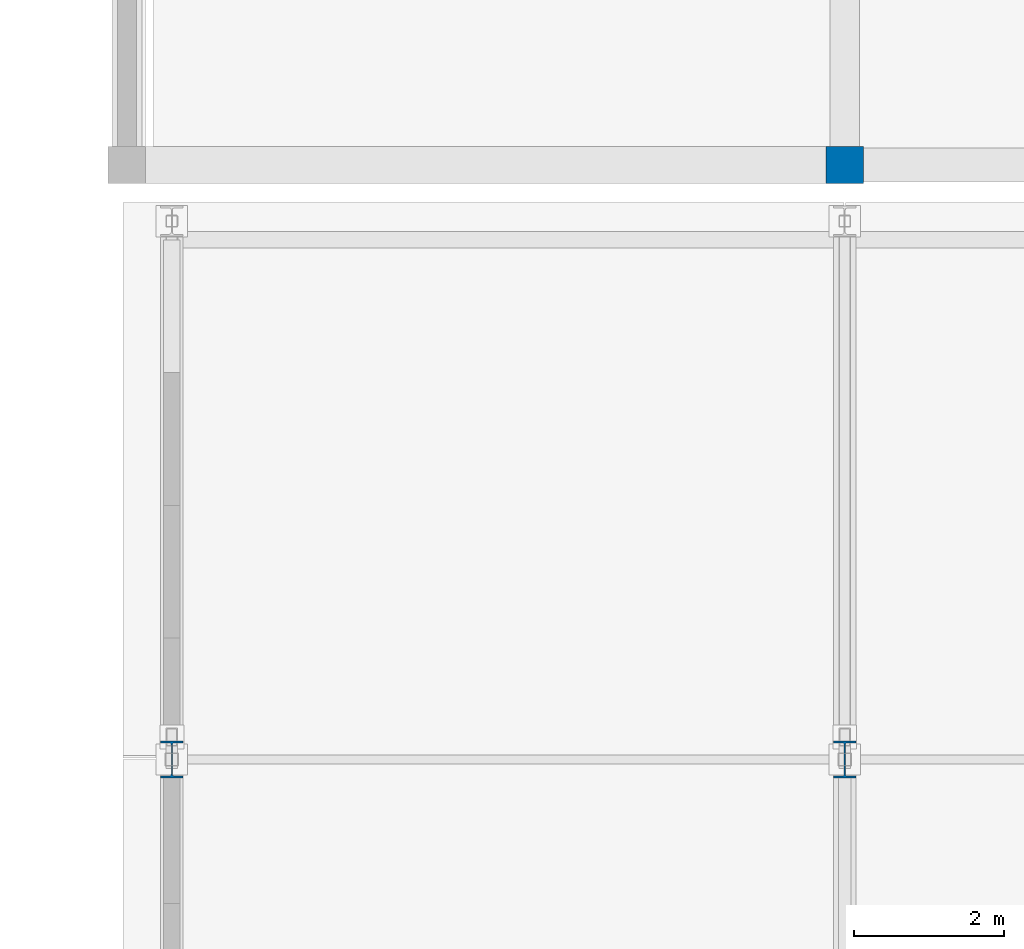
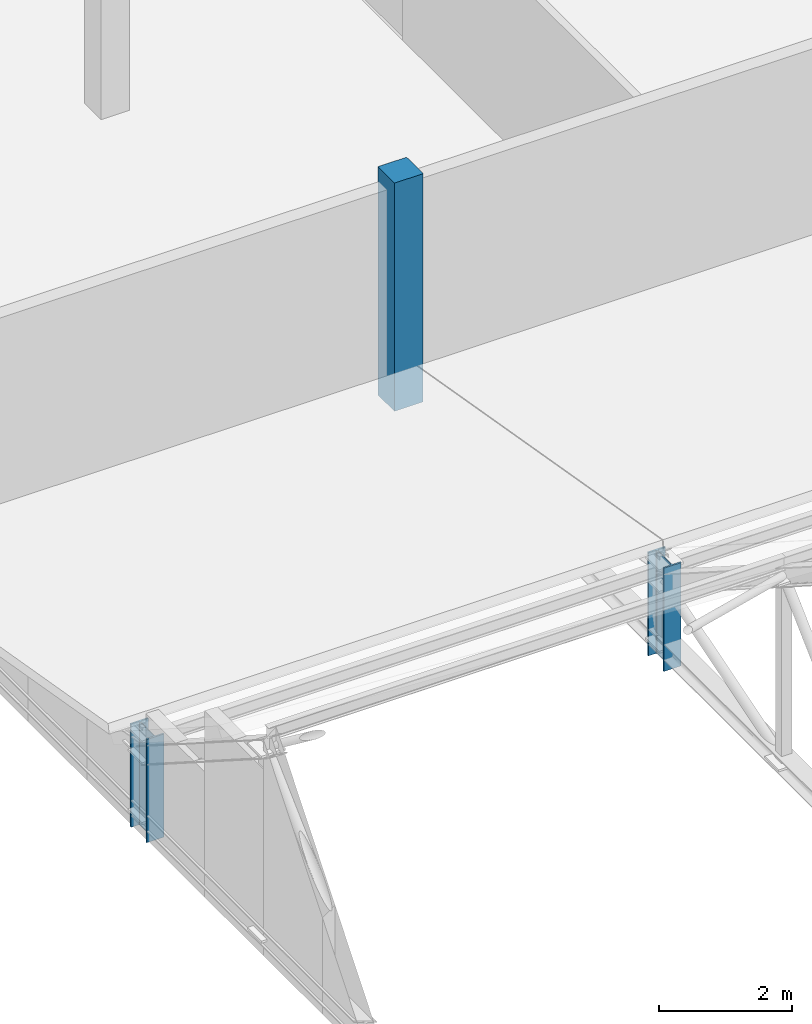
# One storey, part 4 of 182: 3 columns.
"""IFC4 building model written with IfcOpenShell, lengths in metres."""

import ifcopenshell
import ifcopenshell.guid

model = None  # the IFC model being written
_history = None  # IfcOwnerHistory: only IFC2X3 demands one
_inside = {}  # id of a spatial element -> (the spatial element, [elements in it])
_under = {}  # id of a project, library or spatial element -> (it, [spatial elements below it])
_declared = {}  # id of a project -> (the project, [libraries it declares])
_typed = {}  # id of a type object -> (the type object, [elements of that type])
_made_of = {}  # id of a material, layer set ... -> (it, [elements and type objects made of it])


def new_model(schema):
    """Start an empty IFC model of exactly this schema.

    Asked for "IFC4X3", IfcOpenShell would pick the latest addendum, in which some entities
    have other attributes; the version numbers below select the first issue.
    IFC2X3 requires an IfcOwnerHistory on every rooted entity: one is made here for all.
    """
    global model, _history
    if schema == "IFC4X3":
        model = ifcopenshell.file(schema_version=(4, 3, 0, 0))
    else:
        model = ifcopenshell.file(schema=schema)
    _inside.clear()
    _under.clear()
    _declared.clear()
    _typed.clear()
    _made_of.clear()
    _history = None
    if model.schema == "IFC2X3":
        org = make("IfcOrganization", Name="unknown")
        user = make(
            "IfcPersonAndOrganization",
            ThePerson=make("IfcPerson", FamilyName="unknown"),
            TheOrganization=org,
        )
        app = make(
            "IfcApplication",
            ApplicationDeveloper=org,
            Version="unknown",
            ApplicationFullName="unknown",
            ApplicationIdentifier="unknown",
        )
        _history = make(
            "IfcOwnerHistory",
            OwningUser=user,
            OwningApplication=app,
            ChangeAction="ADDED",
            CreationDate=0,
        )
    return model


def make(cls, **values):
    """One entity of the class cls with the attributes given. An attribute that is None is left unset."""
    return model.create_entity(
        cls, **{name: value for name, value in values.items() if value is not None}
    )


def rooted(cls, **values):
    """An entity with a GlobalId (a new one), such as an element, a storey or a relation."""
    return make(cls, GlobalId=ifcopenshell.guid.new(), OwnerHistory=_history, **values)


def si_unit(unit_type, name, prefix=None):
    """IfcSIUnit, for example si_unit("LENGTHUNIT", "METRE", prefix="MILLI")."""
    return make("IfcSIUnit", UnitType=unit_type, Prefix=prefix, Name=name)


def assignment(units):
    """IfcUnitAssignment: the units of a project."""
    return None if units is None else make("IfcUnitAssignment", Units=units)


def point(xyz):
    """IfcCartesianPoint."""
    return None if xyz is None else make("IfcCartesianPoint", Coordinates=xyz)


def direction(xyz):
    """IfcDirection."""
    return None if xyz is None else make("IfcDirection", DirectionRatios=xyz)


def frame(location, z_axis=None, x_axis=None):
    """IfcAxis2Placement3D, a coordinate frame: its origin and axes. An axis left out is left unset."""
    return make(
        "IfcAxis2Placement3D",
        Location=point(location),
        Axis=direction(z_axis),
        RefDirection=direction(x_axis),
    )


def frame_2d(location, x_axis=None):
    """IfcAxis2Placement2D, a coordinate frame in the plane: its origin and x axis."""
    return make(
        "IfcAxis2Placement2D", Location=point(location), RefDirection=direction(x_axis)
    )


def origin():
    """The frame at (0, 0, 0) with its axes left unset."""
    return frame((0.0, 0.0, 0.0))


def origin_2d():
    """The frame at (0, 0) in the plane with its x axis left unset."""
    return frame_2d((0.0, 0.0))


def place(relative_to, where):
    """IfcLocalPlacement: puts the frame where relative to a parent placement (None: the world)."""
    return make(
        "IfcLocalPlacement", PlacementRelTo=relative_to, RelativePlacement=where
    )


def context(
    kind, dimensions, precision=None, world=None, true_north=None, identifier=None
):
    """IfcGeometricRepresentationContext, for example the 3D "Model" context."""
    return make(
        "IfcGeometricRepresentationContext",
        ContextIdentifier=identifier,
        ContextType=kind,
        CoordinateSpaceDimension=dimensions,
        Precision=precision,
        WorldCoordinateSystem=world,
        TrueNorth=true_north,
    )


def subcontext(parent, identifier, kind, view, scale=None):
    """IfcGeometricRepresentationSubContext, for example "Body" below "Model"."""
    return make(
        "IfcGeometricRepresentationSubContext",
        ContextIdentifier=identifier,
        ContextType=kind,
        ParentContext=parent,
        TargetScale=scale,
        TargetView=view,
    )


def project(units=None, contexts=None):
    """IfcProject with its units and contexts."""
    return rooted(
        "IfcProject",
        Name="project",
        RepresentationContexts=contexts,
        UnitsInContext=assignment(units),
    )


def spatial(cls, under=None, at=None, **own):
    """A site, building, storey or space (cls), placed at a placement, below another one or the project."""
    s = rooted(cls, ObjectPlacement=at, **own)
    if under is not None:
        _under.setdefault(under.id(), (under, []))[1].append(s)
    return s


def profile(cls, at=None, kind="AREA", **sizes):
    """A parametric profile (cls). Its sizes go by their IFC names, for example OverallWidth=200.0."""
    return make(cls, ProfileType=kind, Position=at, **sizes)


def rectangle(**sizes):
    """IfcRectangleProfileDef."""
    return profile("IfcRectangleProfileDef", **sizes)


def i_section(**sizes):
    """IfcIShapeProfileDef."""
    return profile("IfcIShapeProfileDef", **sizes)


def extrude(swept, where, along, depth):
    """IfcExtrudedAreaSolid: the profile swept, set in the frame where, extruded along a direction by depth."""
    return make(
        "IfcExtrudedAreaSolid",
        SweptArea=swept,
        Position=where,
        ExtrudedDirection=direction(along),
        Depth=depth,
    )


def shape(context_of_items, identifier, shape_type, items):
    """IfcShapeRepresentation: the items that make up one representation, for example the "Body"."""
    return make(
        "IfcShapeRepresentation",
        ContextOfItems=context_of_items,
        RepresentationIdentifier=identifier,
        RepresentationType=shape_type,
        Items=items,
    )


def material(Name=None, Category=None):
    """IfcMaterial."""
    return make("IfcMaterial", Name=Name, Category=Category)


def material_profile(
    of_material, cross_section, Name=None, Category=None, Priority=None
):
    """IfcMaterialProfile: a cross section and its material."""
    return make(
        "IfcMaterialProfile",
        Name=Name,
        Material=of_material,
        Profile=cross_section,
        Priority=Priority,
        Category=Category,
    )


def profile_set(profiles, Name=None, composite=None):
    """IfcMaterialProfileSet."""
    return make(
        "IfcMaterialProfileSet",
        Name=Name,
        MaterialProfiles=profiles,
        CompositeProfile=composite,
    )


def made_of(thing, what):
    """Note that an element or type object is made of a material, layer set ...; save() writes the relation."""
    if what is not None:
        _made_of.setdefault(what.id(), (what, []))[1].append(thing)
    return thing


def type_object(cls, material=None, **own):
    """A type object (cls), such as IfcWallType, which elements share."""
    return made_of(rooted(cls, **own), material)


def element(
    cls,
    number,
    at=None,
    inside=None,
    cuts=None,
    type_object=None,
    material=None,
    context=None,
    identifier="Body",
    shape_type=None,
    held_by="IfcProductDefinitionShape",
    body=None,
    shapes=None,
    **own,
):
    """One element of the class cls, such as IfcWall. Its Tag is "e" and its number.

    at: its placement. inside: the storey or other place that contains it. cuts: it is an
    opening in that element (IfcRelVoidsElement). A single representation is given by context,
    identifier, shape_type and body (its items); several are given by shapes. held_by: the class
    of the entity that holds the representations. save() writes the other relations.
    """
    e = rooted(cls, Tag="e%d" % number, ObjectPlacement=at, **own)
    if body is not None:
        shapes = [shape(context, identifier, shape_type, body)]
    if shapes is not None:
        e.Representation = make(held_by, Representations=shapes)
    if inside is not None:
        _inside.setdefault(inside.id(), (inside, []))[1].append(e)
    if cuts is not None:
        rooted(
            "IfcRelVoidsElement", RelatingBuildingElement=cuts, RelatedOpeningElement=e
        )
    if type_object is not None:
        _typed.setdefault(type_object.id(), (type_object, []))[1].append(e)
    return made_of(e, material)


def aggregate(whole, parts):
    """IfcRelAggregates: a whole, such as a stair, and the parts it consists of."""
    return rooted("IfcRelAggregates", RelatingObject=whole, RelatedObjects=parts)


def save(model, path):
    """Write the relations noted so far, then the file.

    IfcRelAggregates (storeys below a building ...), IfcRelContainedInSpatialStructure (elements
    in a storey), IfcRelDefinesByType, IfcRelAssociatesMaterial and IfcRelDeclares: one each for
    every whole, place, type object, material and project.
    """
    for whole, parts in _under.values():
        aggregate(whole, parts)
    for where, things in _inside.values():
        rooted(
            "IfcRelContainedInSpatialStructure",
            RelatedElements=things,
            RelatingStructure=where,
        )
    for kind, things in _typed.values():
        rooted("IfcRelDefinesByType", RelatedObjects=things, RelatingType=kind)
    for what, things in _made_of.values():
        rooted("IfcRelAssociatesMaterial", RelatedObjects=things, RelatingMaterial=what)
    for by, libraries in _declared.values():
        rooted("IfcRelDeclares", RelatingContext=by, RelatedDefinitions=libraries)
    model.write(path)


model = new_model("IFC4")

# Units and contexts
model_context = context("Model", 3, precision=1e-05, world=origin(), true_north=direction((0.0, 1.0)))
body_context = subcontext(model_context, "Body", "Model", "MODEL_VIEW")
ifc_project = project(units=[si_unit("LENGTHUNIT", "METRE"), si_unit("AREAUNIT", "SQUARE_METRE"), si_unit("VOLUMEUNIT", "CUBIC_METRE"), si_unit("PLANEANGLEUNIT", "RADIAN"), si_unit("MASSUNIT", "GRAM", prefix="KILO")], contexts=[model_context])

# Site, building, storey
site_placement = place(None, origin())
site = spatial("IfcSite", under=ifc_project, at=site_placement, CompositionType="ELEMENT")
building_placement = place(site_placement, origin())
building = spatial("IfcBuilding", under=site, at=building_placement, Name="Chiffa Square Polytechnic", CompositionType="ELEMENT")
storey_placement = place(building_placement, frame((0.0, 0.0, 9.60009765625)))
storey = spatial("IfcBuildingStorey", under=building, at=storey_placement, Name="L02", CompositionType="ELEMENT", Elevation=9.60009765625)

# Columns
ifc_material_1 = material(Name="Concrete C35/45", Category="concrete")
ifc_material_profile_1 = material_profile(ifc_material_1, rectangle(XDim=0.5, YDim=0.5, at=origin_2d()), Name="RC 500x500")
ifc_profile_set_1 = profile_set([ifc_material_profile_1], Name="Concrete C35/45")
column_type_1 = type_object("IfcColumnType", Name="COL-RC-500", PredefinedType="COLUMN", material=ifc_profile_set_1)
column_placement = place(storey_placement, frame((121.199951171875, 94.949951171875, 0.0), z_axis=(0.0, 0.0, 1.0), x_axis=(1.0, 0.0, 0.0)))
element("IfcColumn", 1, at=column_placement, inside=storey, type_object=column_type_1, Name="Column C-V5-L02-1212-0950", PredefinedType="COLUMN", context=body_context, shape_type="SweptSolid", body=[
    extrude(rectangle(XDim=0.5, YDim=0.5, at=origin_2d()), origin(), (0.0, 0.0, 1.0), 4.199951171875),
])
ifc_material_2 = material(Name="Steel S355", Category="steel")
ifc_material_profile_2 = material_profile(ifc_material_2, i_section(OverallWidth=0.300048828125, OverallDepth=0.5, WebThickness=0.014404296875, FlangeThickness=0.028076171875, FilletRadius=0.027099609375, at=origin_2d()), Name="HEB 500")
ifc_profile_set_2 = profile_set([ifc_material_profile_2], Name="Steel S355")
column_type_2 = type_object("IfcColumnType", Name="COL-STL-HEB500", PredefinedType="COLUMN", material=ifc_profile_set_2)
for number, where, z_axis, x_axis, name in (
    (2, (112.199951171875, 87.0, 0.0), (0.0, 0.0, 1.0), (1.0, 0.0, 0.0), "Workshop roof column C-V2-L02-1122-0870"),
    (3, (121.199951171875, 87.0, 0.0), (0.0, 0.0, 1.0), (1.0, 0.0, 0.0), "Workshop roof column C-V2-L02-1212-0870"),
):
    element("IfcColumn", number, at=place(storey_placement, frame(where, z_axis=z_axis, x_axis=x_axis)), inside=storey, type_object=column_type_2, Name=name, PredefinedType="COLUMN", context=body_context, shape_type="SweptSolid", body=[
        extrude(i_section(OverallWidth=0.300048828125, OverallDepth=0.5, WebThickness=0.014404296875, FlangeThickness=0.028076171875, FilletRadius=0.027099609375, at=origin_2d()), origin(), (0.0, 0.0, 1.0), 1.89990234375),
    ])

save(model, "model.ifc")
